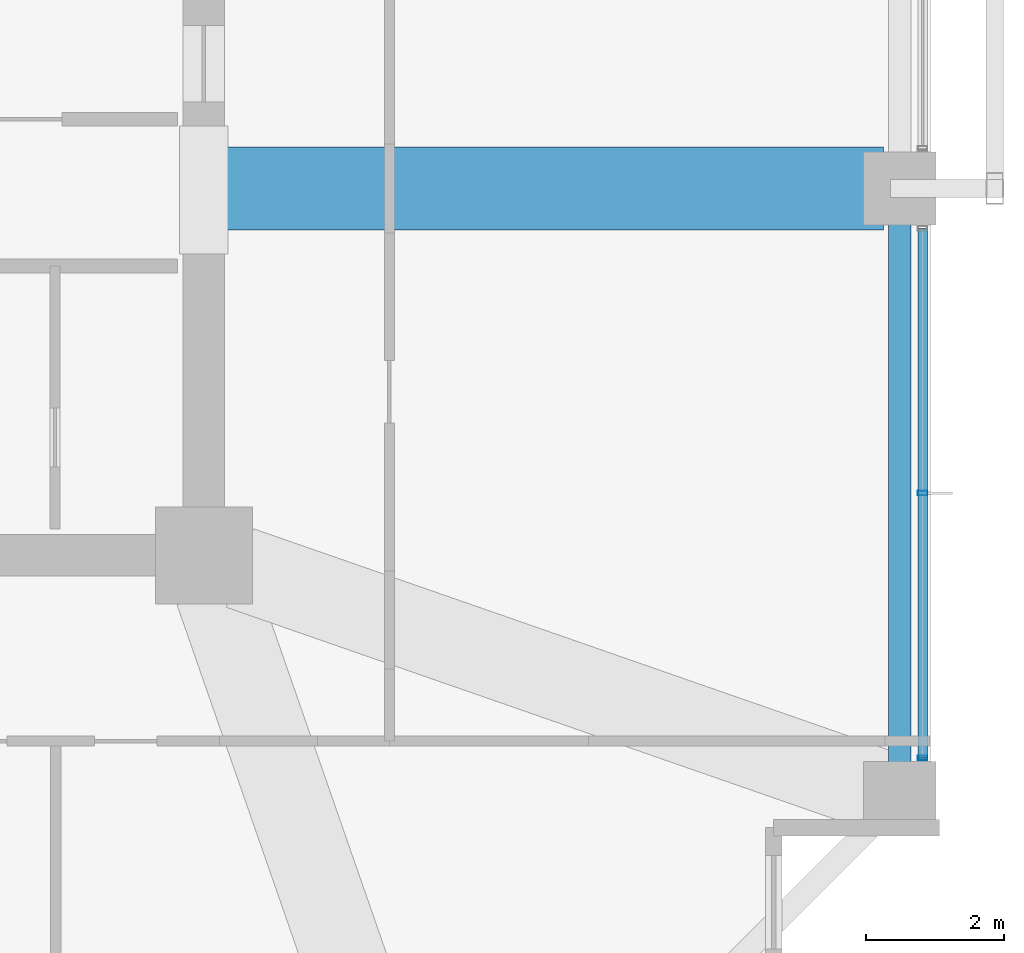
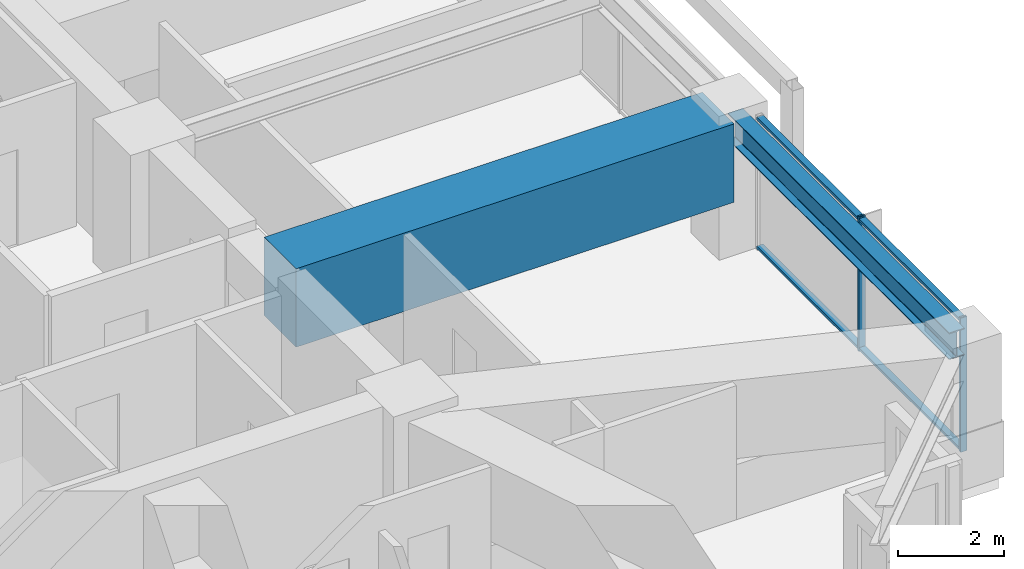
# One storey, part 15 of 39: 4 members, 2 beams, 1 element without a shape of its own.
"""IFC4 building model written with IfcOpenShell, lengths in metres."""

from ifc_helpers import new_model, si_unit, direction, frame, origin, origin_2d, place, context, subcontext, project, spatial, rectangle, hollow_rectangle, i_section, extrude, material, material_profile, profile_set, type_object, element, aggregate, save


model = new_model("IFC4")

# Units and contexts
model_context = context("Model", 3, precision=1e-05, world=origin(), true_north=direction((0.0, 1.0)))
body_context = subcontext(model_context, "Body", "Model", "MODEL_VIEW")
ifc_project = project(units=[si_unit("LENGTHUNIT", "METRE"), si_unit("AREAUNIT", "SQUARE_METRE"), si_unit("VOLUMEUNIT", "CUBIC_METRE"), si_unit("PLANEANGLEUNIT", "RADIAN"), si_unit("MASSUNIT", "GRAM", prefix="KILO")], contexts=[model_context])

# Site, building, storey
site_placement = place(None, origin())
site = spatial("IfcSite", under=ifc_project, at=site_placement, CompositionType="ELEMENT")
building_placement = place(site_placement, origin())
building = spatial("IfcBuilding", under=site, at=building_placement, Name="Kolvaren Belvedere", CompositionType="ELEMENT")
storey_placement = place(building_placement, frame((0.0, 0.0, 85.39990234375)))
storey = spatial("IfcBuildingStorey", under=building, at=storey_placement, Name="L24", CompositionType="ELEMENT", Elevation=85.39990234375)

# Beams
ifc_material_1 = material(Name="Structural steel ASTM A992 Grade 50", Category="steel")
ifc_material_profile_1 = material_profile(ifc_material_1, i_section(OverallWidth=0.324951171875, OverallDepth=0.615966796875, WebThickness=0.013916015625, FlangeThickness=0.021484375, FilletRadius=0.02001953125, at=origin_2d()), Name="W24X117")
ifc_profile_set_1 = profile_set([ifc_material_profile_1], Name="Structural steel ASTM A992 Grade 50")
beam_type_1 = type_object("IfcBeamType", Name="BM-SPAN-W24X117", PredefinedType="SPANDREL", material=ifc_profile_set_1)
beam_1_placement = place(storey_placement, frame((19.949951171875, -13.163818359375, 2.772216796875), z_axis=(0.0, 1.0, 0.0), x_axis=(-1.0, 0.0, 0.0)))
element("IfcBeam", 1, at=beam_1_placement, inside=storey, type_object=beam_type_1, Name="L24 Perimeter Spandrel E1-E2", PredefinedType="SPANDREL", context=body_context, shape_type="SweptSolid", body=[
    extrude(i_section(OverallWidth=0.324951171875, OverallDepth=0.615966796875, WebThickness=0.013916015625, FlangeThickness=0.021484375, FilletRadius=0.02001953125, at=origin_2d()), origin(), (0.0, 0.0, 1.0), 8.32763671875),
])
ifc_material_2 = material(Name="Concrete C50/60", Category="concrete")
ifc_material_profile_2 = material_profile(ifc_material_2, rectangle(XDim=1.199951171875, YDim=1.800048828125, at=origin_2d()), Name="RC 1200X1800")
ifc_profile_set_2 = profile_set([ifc_material_profile_2], Name="Concrete C50/60")
beam_type_2 = type_object("IfcBeamType", Name="BM-TG-1800", PredefinedType="BEAM", material=ifc_profile_set_2)
beam_2_placement = place(storey_placement, frame((10.199951171875, -4.60009765625, 2.18017578125), z_axis=(1.0, 0.0, 0.0), x_axis=(0.0, 1.0, 0.0)))
element("IfcBeam", 2, at=beam_2_placement, inside=storey, type_object=beam_type_2, Name="L24 East Radial Girder M", PredefinedType="BEAM", context=body_context, shape_type="SweptSolid", body=[
    extrude(rectangle(XDim=1.199951171875, YDim=1.800048828125, at=origin_2d()), origin(), (0.0, 0.0, 1.0), 9.513916015625),
])

# Curtain wall, members
ifc_material_3 = material(Name="Anodised pale-metal aluminium AA 6063-T6", Category="aluminium")
curtain_wall_type = type_object("IfcCurtainWallType", Name="CW-Z2-MID", PredefinedType="NOTDEFINED", material=ifc_material_3)
curtain_wall_placement = place(storey_placement, origin())
curtain_wall = element("IfcCurtainWall", 3, at=curtain_wall_placement, inside=storey, type_object=curtain_wall_type, Name="L24 Unitised Curtain Wall FCW-L24-E-B3", PredefinedType="NOTDEFINED")
ifc_material_4 = material(Name="Anodised pale-metal aluminium AA 6063-T6", Category="aluminium")
ifc_material_profile_3 = material_profile(ifc_material_4, hollow_rectangle(XDim=0.06494140625, YDim=0.139892578125, WallThickness=0.00390625, at=origin_2d()), Name="ALU-MUL-140X65")
ifc_profile_set_3 = profile_set([ifc_material_profile_3], Name="Anodised pale-metal aluminium AA 6063-T6")
member_type_1 = type_object("IfcMemberType", Name="CW-MUL-140", PredefinedType="MULLION", material=ifc_profile_set_3)
member_1_placement = place(storey_placement, frame((20.280029296875, -9.0, 0.0), z_axis=(0.0, 0.0, 1.0), x_axis=(0.0, 1.0, 0.0)))
member_1 = element("IfcMember", 4, at=member_1_placement, type_object=member_type_1, Name="FCW-L24-E-B3 Unitised Mullion 2", PredefinedType="MULLION", context=body_context, shape_type="SweptSolid", body=[
    extrude(hollow_rectangle(XDim=0.06494140625, YDim=0.139892578125, WallThickness=0.00390625, at=origin_2d()), origin(), (0.0, 0.0, 1.0), 3.080078125),
])
member_2_placement = place(storey_placement, frame((20.280029296875, -12.822509765625, 0.0), z_axis=(0.0, 0.0, 1.0), x_axis=(0.0, 1.0, 0.0)))
member_2 = element("IfcMember", 5, at=member_2_placement, type_object=member_type_1, Name="FCW-L24-E-B3 Unitised Mullion 3", PredefinedType="MULLION", context=body_context, shape_type="SweptSolid", body=[
    extrude(hollow_rectangle(XDim=0.06494140625, YDim=0.139892578125, WallThickness=0.00390625, at=origin_2d()), origin(), (0.0, 0.0, 1.0), 3.080078125),
])
ifc_material_5 = material(Name="Anodised pale-metal aluminium AA 6063-T6", Category="aluminium")
ifc_material_profile_4 = material_profile(ifc_material_5, hollow_rectangle(XDim=0.06005859375, YDim=0.139892578125, WallThickness=0.00390625, at=origin_2d()), Name="ALU-TRN-140X60")
ifc_profile_set_4 = profile_set([ifc_material_profile_4], Name="Anodised pale-metal aluminium AA 6063-T6")
member_type_2 = type_object("IfcMemberType", Name="CW-TRN-140", PredefinedType="USERDEFINED", material=ifc_profile_set_4)
member_3_placement = place(storey_placement, frame((20.280029296875, -5.177490234375, 0.06005859375), z_axis=(0.0, -1.0, 0.0), x_axis=(0.0, 0.0, 1.0)))
member_3 = element("IfcMember", 6, at=member_3_placement, type_object=member_type_2, Name="FCW-L24-E-B3 Sill Transom", ObjectType="TRANSOM", PredefinedType="USERDEFINED", context=body_context, shape_type="SweptSolid", body=[
    extrude(hollow_rectangle(XDim=0.06005859375, YDim=0.139892578125, WallThickness=0.00390625, at=origin_2d()), origin(), (0.0, 0.0, 1.0), 7.64501953125),
])
member_4_placement = place(storey_placement, frame((20.280029296875, -5.177490234375, 3.02001953125), z_axis=(0.0, -1.0, 0.0), x_axis=(0.0, 0.0, 1.0)))
member_4 = element("IfcMember", 7, at=member_4_placement, type_object=member_type_2, Name="FCW-L24-E-B3 Head Transom", ObjectType="TRANSOM", PredefinedType="USERDEFINED", context=body_context, shape_type="SweptSolid", body=[
    extrude(hollow_rectangle(XDim=0.06005859375, YDim=0.139892578125, WallThickness=0.00390625, at=origin_2d()), origin(), (0.0, 0.0, 1.0), 7.64501953125),
])
aggregate(curtain_wall, [member_1, member_2, member_3, member_4])

save(model, "model.ifc")
